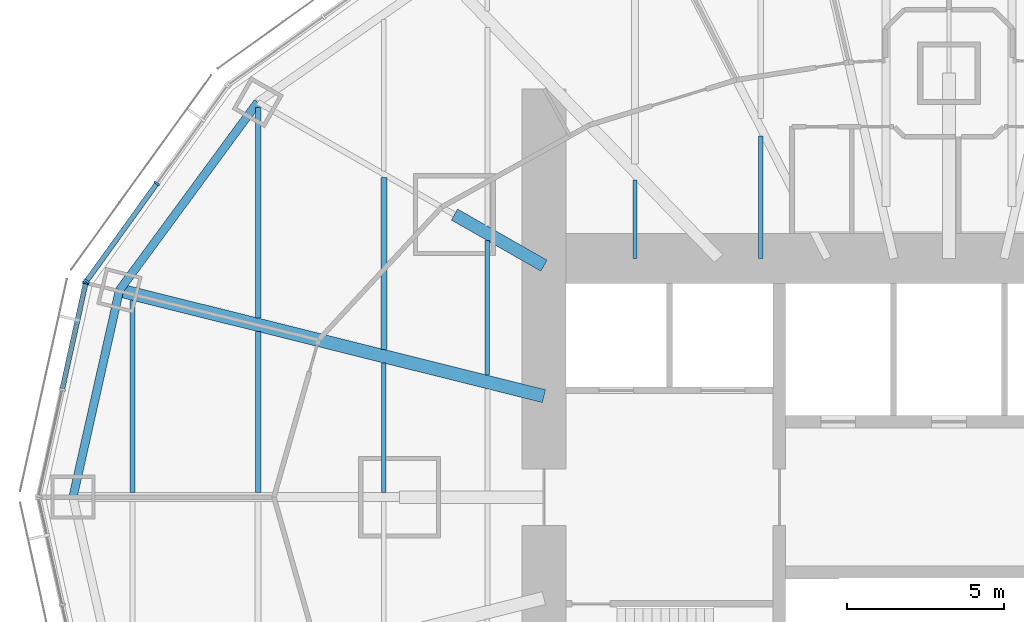
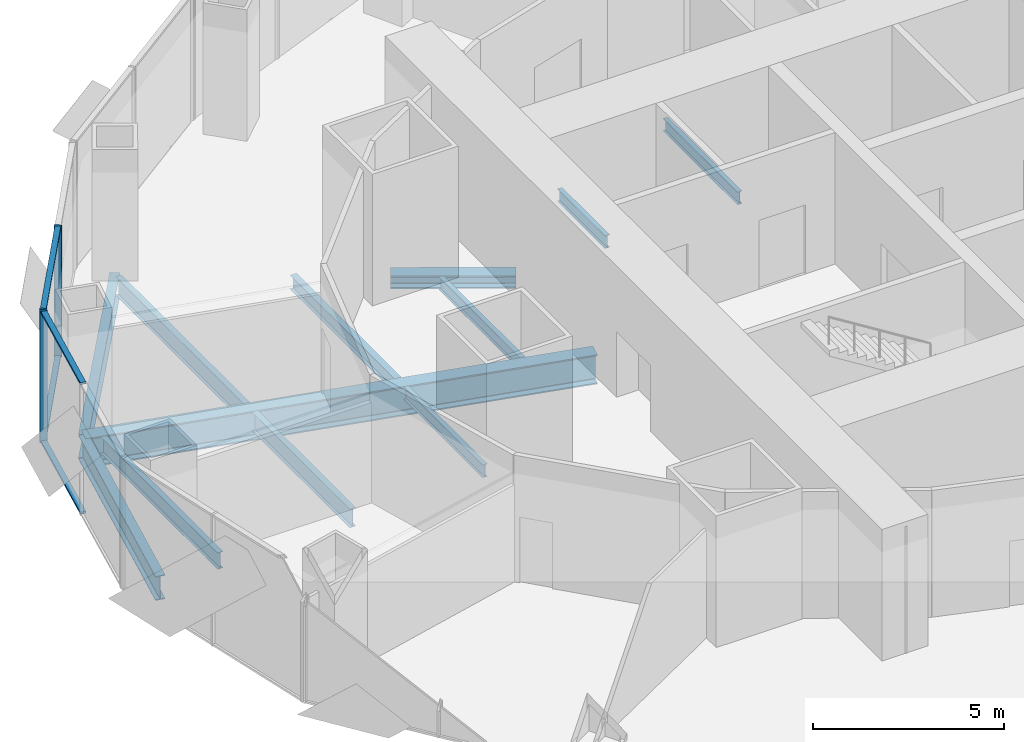
# One storey, part 4 of 17: 12 beams, 7 members, 2 elements without a shape of their own.
"""IFC4 building model written with IfcOpenShell, lengths in metres."""

from ifc_helpers import new_model, si_unit, direction, frame, origin, origin_2d, place, context, subcontext, project, spatial, rectangle, i_section, extrude, material, material_profile, profile_set, type_object, element, aggregate, save


model = new_model("IFC4")

# Units and contexts
model_context = context("Model", 3, precision=1e-05, world=origin(), true_north=direction((0.0, 1.0)))
body_context = subcontext(model_context, "Body", "Model", "MODEL_VIEW")
ifc_project = project(units=[si_unit("LENGTHUNIT", "METRE"), si_unit("AREAUNIT", "SQUARE_METRE"), si_unit("VOLUMEUNIT", "CUBIC_METRE"), si_unit("PLANEANGLEUNIT", "RADIAN"), si_unit("MASSUNIT", "GRAM", prefix="KILO")], contexts=[model_context])

# Site, building, storey
site_placement = place(None, origin())
site = spatial("IfcSite", under=ifc_project, at=site_placement, CompositionType="ELEMENT")
building_placement = place(site_placement, origin())
building = spatial("IfcBuilding", under=site, at=building_placement, Name="Lantaw Convention Tower", CompositionType="ELEMENT")
storey_placement = place(building_placement, frame((0.0, 0.0, 163.60009765625)))
storey = spatial("IfcBuildingStorey", under=building, at=storey_placement, Name="L38", CompositionType="ELEMENT", Elevation=163.60009765625)

# Beams
ifc_material_1 = material(Name="Steel ASTM A992", Category="steel")
ifc_material_profile_1 = material_profile(ifc_material_1, i_section(OverallWidth=0.2666015625, OverallDepth=0.76953125, WebThickness=0.015625, FlangeThickness=0.025390625, FilletRadius=0.0126953125, at=origin_2d()), Name="W30X132")
ifc_profile_set_1 = profile_set([ifc_material_profile_1], Name="Steel ASTM A992")
beam_type_1 = type_object("IfcBeamType", Name="Beam E W30X132", PredefinedType="SPANDREL", material=ifc_profile_set_1)
beam_1_placement = place(storey_placement, frame((-22.013916015625, 12.579345703125, -0.534912109375), z_axis=(-0.5923891972, -0.805651934176, 0.0), x_axis=(0.805651934176, -0.5923891972, 0.0)))
element("IfcBeam", 1, at=beam_1_placement, inside=storey, type_object=beam_type_1, Name="Edge beam 11", PredefinedType="SPANDREL", context=body_context, shape_type="SweptSolid", body=[
    extrude(i_section(OverallWidth=0.2666015625, OverallDepth=0.76953125, WebThickness=0.015625, FlangeThickness=0.025390625, FilletRadius=0.0126953125, at=origin_2d()), origin(), (0.0, 0.0, 1.0), 7.437744140625),
])
beam_2_placement = place(storey_placement, frame((-26.419921875, 6.587158203125, -0.534912109375), z_axis=(-0.219211877447, -0.975677279015, 0.0), x_axis=(0.975677279015, -0.219211877447, 0.0)))
element("IfcBeam", 2, at=beam_2_placement, inside=storey, type_object=beam_type_1, Name="Edge beam 12", PredefinedType="SPANDREL", context=body_context, shape_type="SweptSolid", body=[
    extrude(i_section(OverallWidth=0.2666015625, OverallDepth=0.76953125, WebThickness=0.015625, FlangeThickness=0.025390625, FilletRadius=0.0126953125, at=origin_2d()), origin(), (0.0, 0.0, 1.0), 6.75146484375),
])
ifc_material_profile_2 = material_profile(ifc_material_1, i_section(OverallWidth=0.421630859375, OverallDepth=0.937255859375, WebThickness=0.0224609375, FlangeThickness=0.039794921875, FilletRadius=0.02001953125, at=origin_2d()), Name="W36X282")
ifc_profile_set_2 = profile_set([ifc_material_profile_2], Name="Steel ASTM A992")
beam_type_2 = type_object("IfcBeamType", Name="Beam G W36X282", PredefinedType="BEAM", material=ifc_profile_set_2)
beam_3_placement = place(storey_placement, frame((-12.89990234375, 3.21630859375, -0.61865234375), z_axis=(-0.970296903132, 0.24191717544, 0.0), x_axis=(-0.24191717544, -0.970296903132, 0.0)))
element("IfcBeam", 3, at=beam_3_placement, inside=storey, type_object=beam_type_2, Name="Floor girder on ray 12", PredefinedType="BEAM", context=body_context, shape_type="SweptSolid", body=[
    extrude(i_section(OverallWidth=0.421630859375, OverallDepth=0.937255859375, WebThickness=0.0224609375, FlangeThickness=0.039794921875, FilletRadius=0.02001953125, at=origin_2d()), origin(), (0.0, 0.0, 1.0), 13.933837890625),
])
ifc_material_profile_3 = material_profile(ifc_material_1, i_section(OverallWidth=0.40380859375, OverallDepth=0.406494140625, WebThickness=0.027099609375, FlangeThickness=0.043701171875, FilletRadius=0.01513671875, at=origin_2d()), Name="W14X233")
ifc_profile_set_3 = profile_set([ifc_material_profile_3], Name="Steel ASTM A992")
beam_type_3 = type_object("IfcBeamType", Name="Beam GM W14X233", PredefinedType="BEAM", material=ifc_profile_set_3)
beam_4_placement = place(storey_placement, frame((-12.89990234375, 7.371337890625, -0.353271484375), z_axis=(-0.868238565244, 0.496146947811, 0.0), x_axis=(-0.496146947811, -0.868238565244, 0.0)))
element("IfcBeam", 4, at=beam_4_placement, inside=storey, type_object=beam_type_3, Name="Core link beam on ray 11", PredefinedType="BEAM", context=body_context, shape_type="SweptSolid", body=[
    extrude(i_section(OverallWidth=0.40380859375, OverallDepth=0.406494140625, WebThickness=0.027099609375, FlangeThickness=0.043701171875, FilletRadius=0.01513671875, at=origin_2d()), origin(), (0.0, 0.0, 1.0), 3.28271484375),
])
ifc_material_profile_4 = material_profile(ifc_material_1, i_section(OverallWidth=0.140380859375, OverallDepth=0.40380859375, WebThickness=0.007080078125, FlangeThickness=0.01123046875, FilletRadius=0.01025390625, at=origin_2d()), Name="W16X31")
ifc_profile_set_4 = profile_set([ifc_material_profile_4], Name="Steel ASTM A992")
beam_type_4 = type_object("IfcBeamType", Name="Beam J W16X31", PredefinedType="JOIST", material=ifc_profile_set_4)
beam_5_placement = place(storey_placement, frame((-18.0, 0.14599609375, -0.35205078125), z_axis=(0.0, 1.0, 0.0), x_axis=(-1.0, 0.0, 0.0)))
element("IfcBeam", 5, at=beam_5_placement, inside=storey, type_object=beam_type_4, Name="Floor joist", PredefinedType="JOIST", context=body_context, shape_type="SweptSolid", body=[
    extrude(i_section(OverallWidth=0.140380859375, OverallDepth=0.40380859375, WebThickness=0.007080078125, FlangeThickness=0.01123046875, FilletRadius=0.01025390625, at=origin_2d()), origin(), (0.0, 0.0, 1.0), 4.124755859375),
])
beam_6_placement = place(storey_placement, frame((-14.699951171875, 3.88232421875, -0.35205078125), z_axis=(0.0, 1.0, 0.0), x_axis=(-1.0, 0.0, 0.0)))
element("IfcBeam", 6, at=beam_6_placement, inside=storey, type_object=beam_type_4, Name="Floor joist", PredefinedType="JOIST", context=body_context, shape_type="SweptSolid", body=[
    extrude(i_section(OverallWidth=0.140380859375, OverallDepth=0.40380859375, WebThickness=0.007080078125, FlangeThickness=0.01123046875, FilletRadius=0.01025390625, at=origin_2d()), origin(), (0.0, 0.0, 1.0), 4.28515625),
])
beam_7_placement = place(storey_placement, frame((-10.0, 7.60009765625, -0.35205078125), z_axis=(0.0, 1.0, 0.0), x_axis=(-1.0, 0.0, 0.0)))
element("IfcBeam", 7, at=beam_7_placement, inside=storey, type_object=beam_type_4, Name="Floor joist", PredefinedType="JOIST", context=body_context, shape_type="SweptSolid", body=[
    extrude(i_section(OverallWidth=0.140380859375, OverallDepth=0.40380859375, WebThickness=0.007080078125, FlangeThickness=0.01123046875, FilletRadius=0.01025390625, at=origin_2d()), origin(), (0.0, 0.0, 1.0), 2.49560546875),
])
beam_8_placement = place(storey_placement, frame((-6.0, 7.60009765625, -0.35205078125), z_axis=(0.0, 1.0, 0.0), x_axis=(-1.0, 0.0, 0.0)))
element("IfcBeam", 8, at=beam_8_placement, inside=storey, type_object=beam_type_4, Name="Floor joist", PredefinedType="JOIST", context=body_context, shape_type="SweptSolid", body=[
    extrude(i_section(OverallWidth=0.140380859375, OverallDepth=0.40380859375, WebThickness=0.007080078125, FlangeThickness=0.01123046875, FilletRadius=0.01025390625, at=origin_2d()), origin(), (0.0, 0.0, 1.0), 3.895751953125),
])
ifc_material_profile_5 = material_profile(ifc_material_1, i_section(OverallWidth=0.1904296875, OverallDepth=0.457275390625, WebThickness=0.009033203125, FlangeThickness=0.014404296875, FilletRadius=0.01025390625, at=origin_2d()), Name="W18X50")
ifc_profile_set_5 = profile_set([ifc_material_profile_5], Name="Steel ASTM A992")
beam_type_5 = type_object("IfcBeamType", Name="Beam J W18X50", PredefinedType="JOIST", material=ifc_profile_set_5)
beam_9_placement = place(storey_placement, frame((-18.0, 4.705078125, -0.378662109375), z_axis=(0.0, 1.0, 0.0), x_axis=(-1.0, 0.0, 0.0)))
element("IfcBeam", 9, at=beam_9_placement, inside=storey, type_object=beam_type_5, Name="Floor joist", PredefinedType="JOIST", context=body_context, shape_type="SweptSolid", body=[
    extrude(i_section(OverallWidth=0.1904296875, OverallDepth=0.457275390625, WebThickness=0.009033203125, FlangeThickness=0.014404296875, FilletRadius=0.01025390625, at=origin_2d()), origin(), (0.0, 0.0, 1.0), 5.47802734375),
])
ifc_material_profile_6 = material_profile(ifc_material_1, i_section(OverallWidth=0.1650390625, OverallDepth=0.52587890625, WebThickness=0.0087890625, FlangeThickness=0.011474609375, FilletRadius=0.0126953125, at=origin_2d()), Name="W21X44")
ifc_profile_set_6 = profile_set([ifc_material_profile_6], Name="Steel ASTM A992")
beam_type_6 = type_object("IfcBeamType", Name="Beam J W21X44", PredefinedType="JOIST", material=ifc_profile_set_6)
beam_10_placement = place(storey_placement, frame((-26.0, 0.14599609375, -0.4130859375), z_axis=(0.0, 1.0, 0.0), x_axis=(-1.0, 0.0, 0.0)))
element("IfcBeam", 10, at=beam_10_placement, inside=storey, type_object=beam_type_6, Name="Floor joist", PredefinedType="JOIST", context=body_context, shape_type="SweptSolid", body=[
    extrude(i_section(OverallWidth=0.1650390625, OverallDepth=0.52587890625, WebThickness=0.0087890625, FlangeThickness=0.011474609375, FilletRadius=0.0126953125, at=origin_2d()), origin(), (0.0, 0.0, 1.0), 6.119140625),
])
ifc_material_profile_7 = material_profile(ifc_material_1, i_section(OverallWidth=0.177978515625, OverallDepth=0.599365234375, WebThickness=0.010009765625, FlangeThickness=0.012939453125, FilletRadius=0.012939453125, at=origin_2d()), Name="W24X55")
ifc_profile_set_7 = profile_set([ifc_material_profile_7], Name="Steel ASTM A992")
beam_type_7 = type_object("IfcBeamType", Name="Beam J W24X55", PredefinedType="JOIST", material=ifc_profile_set_7)
beam_11_placement = place(storey_placement, frame((-22.0, 0.14599609375, -0.44970703125), z_axis=(0.0, 1.0, 0.0), x_axis=(-1.0, 0.0, 0.0)))
element("IfcBeam", 11, at=beam_11_placement, inside=storey, type_object=beam_type_7, Name="Floor joist", PredefinedType="JOIST", context=body_context, shape_type="SweptSolid", body=[
    extrude(i_section(OverallWidth=0.177978515625, OverallDepth=0.599365234375, WebThickness=0.010009765625, FlangeThickness=0.012939453125, FilletRadius=0.012939453125, at=origin_2d()), origin(), (0.0, 0.0, 1.0), 5.121826171875),
])
beam_12_placement = place(storey_placement, frame((-22.0, 5.702392578125, -0.44970703125), z_axis=(0.0, 1.0, 0.0), x_axis=(-1.0, 0.0, 0.0)))
element("IfcBeam", 12, at=beam_12_placement, inside=storey, type_object=beam_type_7, Name="Floor joist", PredefinedType="JOIST", context=body_context, shape_type="SweptSolid", body=[
    extrude(i_section(OverallWidth=0.177978515625, OverallDepth=0.599365234375, WebThickness=0.010009765625, FlangeThickness=0.012939453125, FilletRadius=0.012939453125, at=origin_2d()), origin(), (0.0, 0.0, 1.0), 6.70654296875),
])

# Curtain wall, members
ifc_material_2 = material(Name="Aluminium framed curtain wall", Category="aluminium")
curtain_wall_type = type_object("IfcCurtainWallType", Name="Office curtain wall low rise, pale aluminium", PredefinedType="USERDEFINED", material=ifc_material_2)
curtain_wall_1_placement = place(storey_placement, origin())
curtain_wall_1 = element("IfcCurtainWall", 13, at=curtain_wall_1_placement, inside=storey, type_object=curtain_wall_type, Name="Office curtain wall low rise, pale aluminium L38", ObjectType="UNITISED CURTAIN WALL", PredefinedType="USERDEFINED")
ifc_material_3 = material(Name="Aluminium 6063-T6", Category="aluminium")
ifc_material_profile_8 = material_profile(ifc_material_3, rectangle(XDim=0.199951171875, YDim=0.06494140625, at=origin_2d()), Name="CW-O1 mullion 65x200")
ifc_profile_set_8 = profile_set([ifc_material_profile_8], Name="Aluminium 6063-T6")
member_type_1 = type_object("IfcMemberType", Name="CW-O1 mullion 65x200", PredefinedType="MULLION", material=ifc_profile_set_8)
member_1_placement = place(storey_placement, frame((-25.22802734375, 9.9892578125, -0.150146484375), z_axis=(0.0, 0.0, 1.0), x_axis=(0.811384633629, -0.584512597221, 0.0)))
member_1 = element("IfcMember", 14, at=member_1_placement, type_object=member_type_1, Name="CW-O1 mullion 2", PredefinedType="MULLION", context=body_context, shape_type="SweptSolid", body=[
    extrude(rectangle(XDim=0.199951171875, YDim=0.06494140625, at=origin_2d()), origin(), (0.0, 0.0, 1.0), 4.199951171875),
])
member_2_placement = place(storey_placement, frame((-27.46826171875, 6.879638671875, -0.150146484375), z_axis=(0.0, 0.0, 1.0), x_axis=(0.811384633629, -0.584512597221, 0.0)))
member_2 = element("IfcMember", 15, at=member_2_placement, type_object=member_type_1, Name="CW-O1 mullion 3", PredefinedType="MULLION", context=body_context, shape_type="SweptSolid", body=[
    extrude(rectangle(XDim=0.199951171875, YDim=0.06494140625, at=origin_2d()), origin(), (0.0, 0.0, 1.0), 4.199951171875),
])

# Curtain wall, member
curtain_wall_2_placement = place(storey_placement, origin())
curtain_wall_2 = element("IfcCurtainWall", 16, at=curtain_wall_2_placement, inside=storey, type_object=curtain_wall_type, Name="Office curtain wall low rise, pale aluminium L38", ObjectType="UNITISED CURTAIN WALL", PredefinedType="USERDEFINED")
member_3_placement = place(storey_placement, frame((-27.494140625, 6.821533203125, -0.150146484375), z_axis=(0.0, 0.0, 1.0), x_axis=(0.9764936509, -0.215546166174, 0.0)))
member_3 = element("IfcMember", 17, at=member_3_placement, type_object=member_type_1, Name="CW-O1 mullion 1", PredefinedType="MULLION", context=body_context, shape_type="SweptSolid", body=[
    extrude(rectangle(XDim=0.199951171875, YDim=0.06494140625, at=origin_2d()), origin(), (0.0, 0.0, 1.0), 4.199951171875),
])

# Member
ifc_material_profile_9 = material_profile(ifc_material_3, rectangle(XDim=0.159912109375, YDim=0.06494140625, at=origin_2d()), Name="CW-O1 transom 65x160")
ifc_profile_set_9 = profile_set([ifc_material_profile_9], Name="Aluminium 6063-T6")
member_type_2 = type_object("IfcMemberType", Name="CW-O1 transom 65x160", PredefinedType="USERDEFINED", material=ifc_profile_set_9)
member_4_placement = place(storey_placement, frame((-25.2470703125, 9.962890625, -0.11767578125), z_axis=(-0.584512973979, -0.811384362217, 0.0), x_axis=(0.811384362217, -0.584512973979, 0.0)))
member_4 = element("IfcMember", 18, at=member_4_placement, type_object=member_type_2, Name="CW-O1 transom 2.1", ObjectType="TRANSOM", PredefinedType="USERDEFINED", context=body_context, shape_type="SweptSolid", body=[
    extrude(rectangle(XDim=0.159912109375, YDim=0.06494140625, at=origin_2d()), origin(), (0.0, 0.0, 1.0), 3.767578125),
])

member_5_placement = place(storey_placement, frame((-25.2470703125, 9.962890625, 4.017333984375), z_axis=(-0.584512973979, -0.811384362217, 0.0), x_axis=(0.811384362217, -0.584512973979, 0.0)))
member_5 = element("IfcMember", 19, at=member_5_placement, type_object=member_type_2, Name="CW-O1 transom 2.2", ObjectType="TRANSOM", PredefinedType="USERDEFINED", context=body_context, shape_type="SweptSolid", body=[
    extrude(rectangle(XDim=0.159912109375, YDim=0.06494140625, at=origin_2d()), origin(), (0.0, 0.0, 1.0), 3.767578125),
])

aggregate(curtain_wall_1, [member_1, member_2, member_4, member_5])

member_6_placement = place(storey_placement, frame((-27.501220703125, 6.789794921875, -0.11767578125), z_axis=(-0.21555115847, -0.976492548913, 0.0), x_axis=(0.976492548913, -0.21555115847, 0.0)))
member_6 = element("IfcMember", 20, at=member_6_placement, type_object=member_type_2, Name="CW-O1 transom 1.1", ObjectType="TRANSOM", PredefinedType="USERDEFINED", context=body_context, shape_type="SweptSolid", body=[
    extrude(rectangle(XDim=0.159912109375, YDim=0.06494140625, at=origin_2d()), origin(), (0.0, 0.0, 1.0), 3.411376953125),
])

member_7_placement = place(storey_placement, frame((-27.501220703125, 6.789794921875, 4.017333984375), z_axis=(-0.21555115847, -0.976492548913, 0.0), x_axis=(0.976492548913, -0.21555115847, 0.0)))
member_7 = element("IfcMember", 21, at=member_7_placement, type_object=member_type_2, Name="CW-O1 transom 1.2", ObjectType="TRANSOM", PredefinedType="USERDEFINED", context=body_context, shape_type="SweptSolid", body=[
    extrude(rectangle(XDim=0.159912109375, YDim=0.06494140625, at=origin_2d()), origin(), (0.0, 0.0, 1.0), 3.411376953125),
])

aggregate(curtain_wall_2, [member_3, member_6, member_7])

save(model, "model.ifc")
